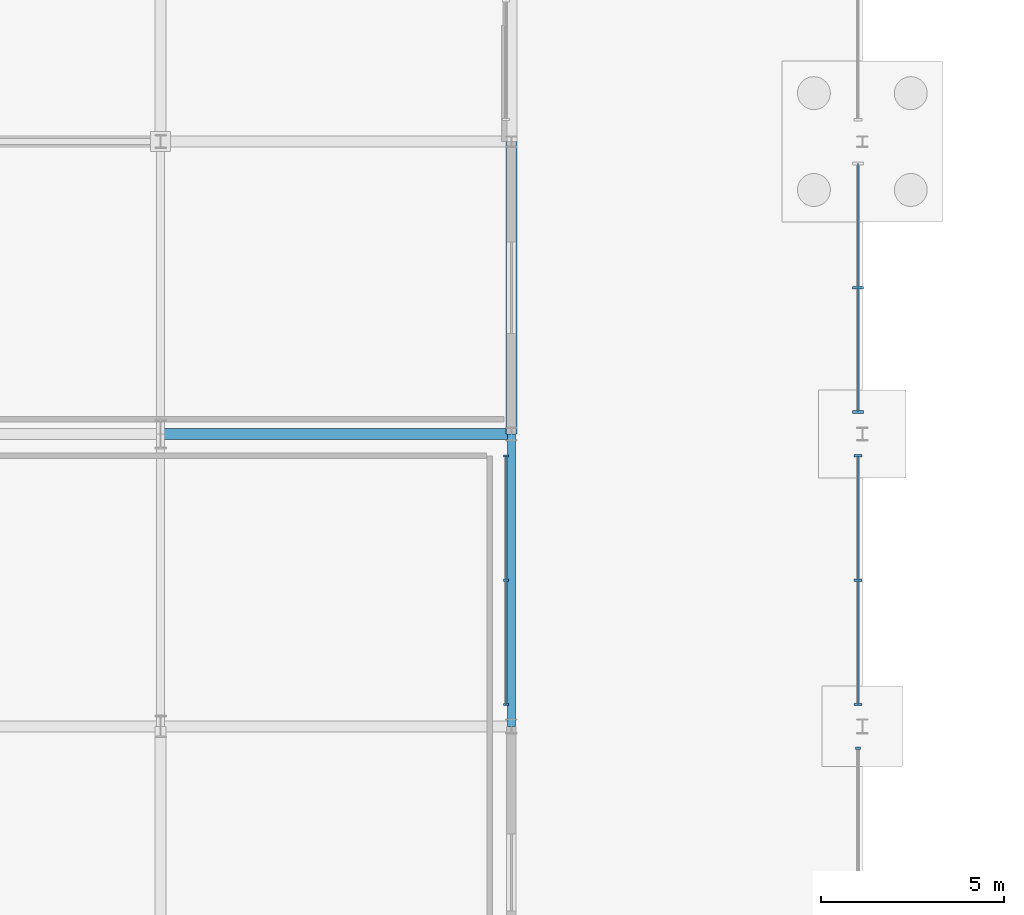
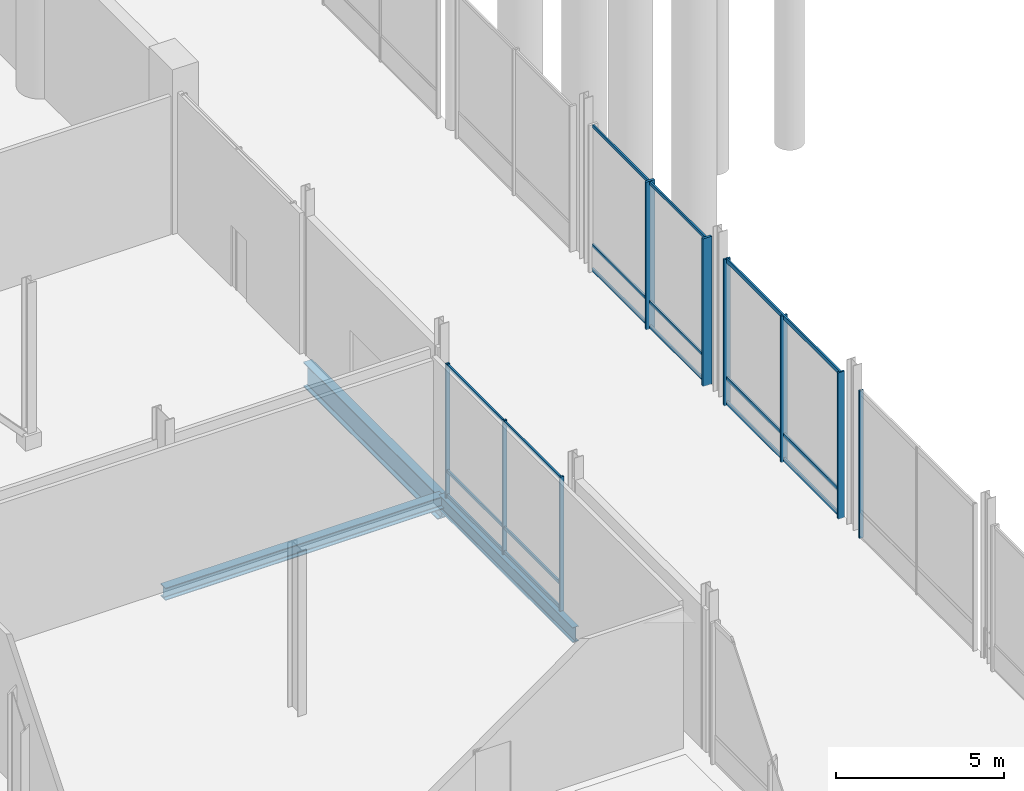
# One storey, part 45 of 124: 18 members, 3 beams, 4 elements without a shape of their own.
"""IFC4 building model written with IfcOpenShell, lengths in metres."""

import ifcopenshell
import ifcopenshell.guid

model = None  # the IFC model being written
_history = None  # IfcOwnerHistory: only IFC2X3 demands one
_inside = {}  # id of a spatial element -> (the spatial element, [elements in it])
_under = {}  # id of a project, library or spatial element -> (it, [spatial elements below it])
_declared = {}  # id of a project -> (the project, [libraries it declares])
_typed = {}  # id of a type object -> (the type object, [elements of that type])
_made_of = {}  # id of a material, layer set ... -> (it, [elements and type objects made of it])


def new_model(schema):
    """Start an empty IFC model of exactly this schema.

    Asked for "IFC4X3", IfcOpenShell would pick the latest addendum, in which some entities
    have other attributes; the version numbers below select the first issue.
    IFC2X3 requires an IfcOwnerHistory on every rooted entity: one is made here for all.
    """
    global model, _history
    if schema == "IFC4X3":
        model = ifcopenshell.file(schema_version=(4, 3, 0, 0))
    else:
        model = ifcopenshell.file(schema=schema)
    _inside.clear()
    _under.clear()
    _declared.clear()
    _typed.clear()
    _made_of.clear()
    _history = None
    if model.schema == "IFC2X3":
        org = make("IfcOrganization", Name="unknown")
        user = make(
            "IfcPersonAndOrganization",
            ThePerson=make("IfcPerson", FamilyName="unknown"),
            TheOrganization=org,
        )
        app = make(
            "IfcApplication",
            ApplicationDeveloper=org,
            Version="unknown",
            ApplicationFullName="unknown",
            ApplicationIdentifier="unknown",
        )
        _history = make(
            "IfcOwnerHistory",
            OwningUser=user,
            OwningApplication=app,
            ChangeAction="ADDED",
            CreationDate=0,
        )
    return model


def make(cls, **values):
    """One entity of the class cls with the attributes given. An attribute that is None is left unset."""
    return model.create_entity(
        cls, **{name: value for name, value in values.items() if value is not None}
    )


def rooted(cls, **values):
    """An entity with a GlobalId (a new one), such as an element, a storey or a relation."""
    return make(cls, GlobalId=ifcopenshell.guid.new(), OwnerHistory=_history, **values)


def si_unit(unit_type, name, prefix=None):
    """IfcSIUnit, for example si_unit("LENGTHUNIT", "METRE", prefix="MILLI")."""
    return make("IfcSIUnit", UnitType=unit_type, Prefix=prefix, Name=name)


def assignment(units):
    """IfcUnitAssignment: the units of a project."""
    return None if units is None else make("IfcUnitAssignment", Units=units)


def point(xyz):
    """IfcCartesianPoint."""
    return None if xyz is None else make("IfcCartesianPoint", Coordinates=xyz)


def direction(xyz):
    """IfcDirection."""
    return None if xyz is None else make("IfcDirection", DirectionRatios=xyz)


def frame(location, z_axis=None, x_axis=None):
    """IfcAxis2Placement3D, a coordinate frame: its origin and axes. An axis left out is left unset."""
    return make(
        "IfcAxis2Placement3D",
        Location=point(location),
        Axis=direction(z_axis),
        RefDirection=direction(x_axis),
    )


def frame_2d(location, x_axis=None):
    """IfcAxis2Placement2D, a coordinate frame in the plane: its origin and x axis."""
    return make(
        "IfcAxis2Placement2D", Location=point(location), RefDirection=direction(x_axis)
    )


def origin():
    """The frame at (0, 0, 0) with its axes left unset."""
    return frame((0.0, 0.0, 0.0))


def origin_2d():
    """The frame at (0, 0) in the plane with its x axis left unset."""
    return frame_2d((0.0, 0.0))


def place(relative_to, where):
    """IfcLocalPlacement: puts the frame where relative to a parent placement (None: the world)."""
    return make(
        "IfcLocalPlacement", PlacementRelTo=relative_to, RelativePlacement=where
    )


def context(
    kind, dimensions, precision=None, world=None, true_north=None, identifier=None
):
    """IfcGeometricRepresentationContext, for example the 3D "Model" context."""
    return make(
        "IfcGeometricRepresentationContext",
        ContextIdentifier=identifier,
        ContextType=kind,
        CoordinateSpaceDimension=dimensions,
        Precision=precision,
        WorldCoordinateSystem=world,
        TrueNorth=true_north,
    )


def subcontext(parent, identifier, kind, view, scale=None):
    """IfcGeometricRepresentationSubContext, for example "Body" below "Model"."""
    return make(
        "IfcGeometricRepresentationSubContext",
        ContextIdentifier=identifier,
        ContextType=kind,
        ParentContext=parent,
        TargetScale=scale,
        TargetView=view,
    )


def project(units=None, contexts=None):
    """IfcProject with its units and contexts."""
    return rooted(
        "IfcProject",
        Name="project",
        RepresentationContexts=contexts,
        UnitsInContext=assignment(units),
    )


def spatial(cls, under=None, at=None, **own):
    """A site, building, storey or space (cls), placed at a placement, below another one or the project."""
    s = rooted(cls, ObjectPlacement=at, **own)
    if under is not None:
        _under.setdefault(under.id(), (under, []))[1].append(s)
    return s


def profile(cls, at=None, kind="AREA", **sizes):
    """A parametric profile (cls). Its sizes go by their IFC names, for example OverallWidth=200.0."""
    return make(cls, ProfileType=kind, Position=at, **sizes)


def rectangle(**sizes):
    """IfcRectangleProfileDef."""
    return profile("IfcRectangleProfileDef", **sizes)


def i_section(**sizes):
    """IfcIShapeProfileDef."""
    return profile("IfcIShapeProfileDef", **sizes)


def extrude(swept, where, along, depth):
    """IfcExtrudedAreaSolid: the profile swept, set in the frame where, extruded along a direction by depth."""
    return make(
        "IfcExtrudedAreaSolid",
        SweptArea=swept,
        Position=where,
        ExtrudedDirection=direction(along),
        Depth=depth,
    )


def shape(context_of_items, identifier, shape_type, items):
    """IfcShapeRepresentation: the items that make up one representation, for example the "Body"."""
    return make(
        "IfcShapeRepresentation",
        ContextOfItems=context_of_items,
        RepresentationIdentifier=identifier,
        RepresentationType=shape_type,
        Items=items,
    )


def material(Name=None, Category=None):
    """IfcMaterial."""
    return make("IfcMaterial", Name=Name, Category=Category)


def material_profile(
    of_material, cross_section, Name=None, Category=None, Priority=None
):
    """IfcMaterialProfile: a cross section and its material."""
    return make(
        "IfcMaterialProfile",
        Name=Name,
        Material=of_material,
        Profile=cross_section,
        Priority=Priority,
        Category=Category,
    )


def profile_set(profiles, Name=None, composite=None):
    """IfcMaterialProfileSet."""
    return make(
        "IfcMaterialProfileSet",
        Name=Name,
        MaterialProfiles=profiles,
        CompositeProfile=composite,
    )


def made_of(thing, what):
    """Note that an element or type object is made of a material, layer set ...; save() writes the relation."""
    if what is not None:
        _made_of.setdefault(what.id(), (what, []))[1].append(thing)
    return thing


def type_object(cls, material=None, **own):
    """A type object (cls), such as IfcWallType, which elements share."""
    return made_of(rooted(cls, **own), material)


def element(
    cls,
    number,
    at=None,
    inside=None,
    cuts=None,
    type_object=None,
    material=None,
    context=None,
    identifier="Body",
    shape_type=None,
    held_by="IfcProductDefinitionShape",
    body=None,
    shapes=None,
    **own,
):
    """One element of the class cls, such as IfcWall. Its Tag is "e" and its number.

    at: its placement. inside: the storey or other place that contains it. cuts: it is an
    opening in that element (IfcRelVoidsElement). A single representation is given by context,
    identifier, shape_type and body (its items); several are given by shapes. held_by: the class
    of the entity that holds the representations. save() writes the other relations.
    """
    e = rooted(cls, Tag="e%d" % number, ObjectPlacement=at, **own)
    if body is not None:
        shapes = [shape(context, identifier, shape_type, body)]
    if shapes is not None:
        e.Representation = make(held_by, Representations=shapes)
    if inside is not None:
        _inside.setdefault(inside.id(), (inside, []))[1].append(e)
    if cuts is not None:
        rooted(
            "IfcRelVoidsElement", RelatingBuildingElement=cuts, RelatedOpeningElement=e
        )
    if type_object is not None:
        _typed.setdefault(type_object.id(), (type_object, []))[1].append(e)
    return made_of(e, material)


def aggregate(whole, parts):
    """IfcRelAggregates: a whole, such as a stair, and the parts it consists of."""
    return rooted("IfcRelAggregates", RelatingObject=whole, RelatedObjects=parts)


def save(model, path):
    """Write the relations noted so far, then the file.

    IfcRelAggregates (storeys below a building ...), IfcRelContainedInSpatialStructure (elements
    in a storey), IfcRelDefinesByType, IfcRelAssociatesMaterial and IfcRelDeclares: one each for
    every whole, place, type object, material and project.
    """
    for whole, parts in _under.values():
        aggregate(whole, parts)
    for where, things in _inside.values():
        rooted(
            "IfcRelContainedInSpatialStructure",
            RelatedElements=things,
            RelatingStructure=where,
        )
    for kind, things in _typed.values():
        rooted("IfcRelDefinesByType", RelatedObjects=things, RelatingType=kind)
    for what, things in _made_of.values():
        rooted("IfcRelAssociatesMaterial", RelatedObjects=things, RelatingMaterial=what)
    for by, libraries in _declared.values():
        rooted("IfcRelDeclares", RelatingContext=by, RelatedDefinitions=libraries)
    model.write(path)


model = new_model("IFC4")

# Units and contexts
model_context = context("Model", 3, precision=1e-05, world=origin(), true_north=direction((0.0, 1.0)))
body_context = subcontext(model_context, "Body", "Model", "MODEL_VIEW")
ifc_project = project(units=[si_unit("LENGTHUNIT", "METRE"), si_unit("AREAUNIT", "SQUARE_METRE"), si_unit("VOLUMEUNIT", "CUBIC_METRE"), si_unit("PLANEANGLEUNIT", "RADIAN"), si_unit("MASSUNIT", "GRAM", prefix="KILO")], contexts=[model_context])

# Site, building, storey
site_placement = place(None, origin())
site = spatial("IfcSite", under=ifc_project, at=site_placement, CompositionType="ELEMENT")
building_placement = place(site_placement, origin())
building = spatial("IfcBuilding", under=site, at=building_placement, Name="Danafjord Basin Convention Centre", CompositionType="ELEMENT")
storey_placement = place(building_placement, origin())
storey = spatial("IfcBuildingStorey", under=building, at=storey_placement, Name="L00", CompositionType="ELEMENT", Elevation=0.0)

# Beams
ifc_material_1 = material(Name="Steel S355", Category="steel")
ifc_material_profile_1 = material_profile(ifc_material_1, i_section(OverallWidth=0.300048828125, OverallDepth=0.449951171875, WebThickness=0.013916015625, FlangeThickness=0.02587890625, FilletRadius=0.027099609375, at=origin_2d()), Name="HEB 450")
ifc_profile_set_1 = profile_set([ifc_material_profile_1], Name="Steel S355")
beam_type_1 = type_object("IfcBeamType", Name="BEAM-BM-HEB450", PredefinedType="BEAM", material=ifc_profile_set_1)
beam_1_placement = place(storey_placement, frame((105.60009765625, 40.0, -0.534912109375), z_axis=(1.0, 0.0, 0.0), x_axis=(0.0, 1.0, 0.0)))
element("IfcBeam", 1, at=beam_1_placement, inside=storey, type_object=beam_type_1, Name="L00 girder BM-HEB450", PredefinedType="BEAM", context=body_context, shape_type="SweptSolid", body=[
    extrude(i_section(OverallWidth=0.300048828125, OverallDepth=0.449951171875, WebThickness=0.013916015625, FlangeThickness=0.02587890625, FilletRadius=0.027099609375, at=origin_2d()), origin(), (0.0, 0.0, 1.0), 9.599853515625),
])
ifc_material_profile_2 = material_profile(ifc_material_1, i_section(OverallWidth=0.300048828125, OverallDepth=0.89990234375, WebThickness=0.0185546875, FlangeThickness=0.034912109375, FilletRadius=0.030029296875, at=origin_2d()), Name="HEB 900")
ifc_profile_set_2 = profile_set([ifc_material_profile_2], Name="Steel S355")
beam_type_2 = type_object("IfcBeamType", Name="BEAM-BM-HEB900", PredefinedType="BEAM", material=ifc_profile_set_2)
beam_2_placement = place(storey_placement, frame((115.199951171875, 40.0, -0.760009765625), z_axis=(0.0, 1.0, 0.0), x_axis=(-1.0, 0.0, 0.0)))
element("IfcBeam", 2, at=beam_2_placement, inside=storey, type_object=beam_type_2, Name="L00 transverse girder BM-HEB900", PredefinedType="BEAM", context=body_context, shape_type="SweptSolid", body=[
    extrude(i_section(OverallWidth=0.300048828125, OverallDepth=0.89990234375, WebThickness=0.0185546875, FlangeThickness=0.034912109375, FilletRadius=0.030029296875, at=origin_2d()), origin(), (0.0, 0.0, 1.0), 8.0),
])
ifc_material_profile_3 = material_profile(ifc_material_1, i_section(OverallWidth=0.2099609375, OverallDepth=0.550048828125, WebThickness=0.010986328125, FlangeThickness=0.01708984375, FilletRadius=0.02392578125, at=origin_2d()), Name="IPE 550")
ifc_profile_set_3 = profile_set([ifc_material_profile_3], Name="Steel S355")
beam_type_3 = type_object("IfcBeamType", Name="BEAM-BM-IPE550", PredefinedType="BEAM", material=ifc_profile_set_3)
beam_3_placement = place(storey_placement, frame((115.199951171875, 32.0, -0.5849609375), z_axis=(0.0, 1.0, 0.0), x_axis=(-1.0, 0.0, 0.0)))
element("IfcBeam", 3, at=beam_3_placement, inside=storey, type_object=beam_type_3, Name="L00 transverse girder BM-IPE550", PredefinedType="BEAM", context=body_context, shape_type="SweptSolid", body=[
    extrude(i_section(OverallWidth=0.2099609375, OverallDepth=0.550048828125, WebThickness=0.010986328125, FlangeThickness=0.01708984375, FilletRadius=0.02392578125, at=origin_2d()), origin(), (0.0, 0.0, 1.0), 8.0),
])

# Curtain wall, members
ifc_material_2 = material(Name="Anodised aluminium and triple glazing", Category="aluminium")
curtain_wall_type_1 = type_object("IfcCurtainWallType", Name="CW-CW-TERR", PredefinedType="NOTDEFINED", material=ifc_material_2)
curtain_wall_1_placement = place(storey_placement, origin())
curtain_wall_1 = element("IfcCurtainWall", 4, at=curtain_wall_1_placement, inside=storey, type_object=curtain_wall_type_1, Name="L00 CW-TERR unitised curtain wall bay 45", PredefinedType="NOTDEFINED")
ifc_material_3 = material(Name="Anodised aluminium EN AW-6060", Category="aluminium")
ifc_material_profile_4 = material_profile(ifc_material_3, rectangle(XDim=0.06005859375, YDim=0.139892578125, at=origin_2d()), Name="MULL 60x140")
ifc_profile_set_4 = profile_set([ifc_material_profile_4], Name="Anodised aluminium EN AW-6060")
member_type_1 = type_object("IfcMemberType", Name="MEM-ML-140", PredefinedType="MULLION", material=ifc_profile_set_4)
member_1_placement = place(storey_placement, frame((115.050048828125, 32.60009765625, -0.02490234375), z_axis=(0.0, 0.0, 1.0), x_axis=(0.0, 1.0, 0.0)))
member_1 = element("IfcMember", 5, at=member_1_placement, type_object=member_type_1, Name="CW-L00-045 mullion 1", PredefinedType="MULLION", context=body_context, shape_type="SweptSolid", body=[
    extrude(rectangle(XDim=0.06005859375, YDim=0.139892578125, at=origin_2d()), origin(), (0.0, 0.0, 1.0), 4.885009765625),
])
member_2_placement = place(storey_placement, frame((115.050048828125, 36.0, -0.02490234375), z_axis=(0.0, 0.0, 1.0), x_axis=(0.0, 1.0, 0.0)))
member_2 = element("IfcMember", 6, at=member_2_placement, type_object=member_type_1, Name="CW-L00-045 mullion 2", PredefinedType="MULLION", context=body_context, shape_type="SweptSolid", body=[
    extrude(rectangle(XDim=0.06005859375, YDim=0.139892578125, at=origin_2d()), origin(), (0.0, 0.0, 1.0), 4.885009765625),
])
member_3_placement = place(storey_placement, frame((115.050048828125, 39.39990234375, -0.02490234375), z_axis=(0.0, 0.0, 1.0), x_axis=(0.0, 1.0, 0.0)))
member_3 = element("IfcMember", 7, at=member_3_placement, type_object=member_type_1, Name="CW-L00-045 mullion 3", PredefinedType="MULLION", context=body_context, shape_type="SweptSolid", body=[
    extrude(rectangle(XDim=0.06005859375, YDim=0.139892578125, at=origin_2d()), origin(), (0.0, 0.0, 1.0), 4.885009765625),
])

# Curtain wall, member
curtain_wall_type_2 = type_object("IfcCurtainWallType", Name="CW-CW-BRIDGE", PredefinedType="NOTDEFINED", material=ifc_material_2)
curtain_wall_2_placement = place(storey_placement, origin())
curtain_wall_2 = element("IfcCurtainWall", 8, at=curtain_wall_2_placement, inside=storey, type_object=curtain_wall_type_2, Name="L00 CW-BRIDGE unitised curtain wall bay 155", PredefinedType="NOTDEFINED")
member_4_placement = place(storey_placement, frame((124.679931640625, 31.39990234375, -0.02490234375), z_axis=(0.0, 0.0, 1.0), x_axis=(0.0, 1.0, 0.0)))
member_4 = element("IfcMember", 9, at=member_4_placement, type_object=member_type_1, Name="CW-L00-155 mullion 3", PredefinedType="MULLION", context=body_context, shape_type="SweptSolid", body=[
    extrude(rectangle(XDim=0.06005859375, YDim=0.139892578125, at=origin_2d()), origin(), (0.0, 0.0, 1.0), 5.385009765625),
])
aggregate(curtain_wall_2, [member_4])

# Curtain wall, members
curtain_wall_3_placement = place(storey_placement, origin())
curtain_wall_3 = element("IfcCurtainWall", 10, at=curtain_wall_3_placement, inside=storey, type_object=curtain_wall_type_2, Name="L00 CW-BRIDGE unitised curtain wall bay 157", PredefinedType="NOTDEFINED")
ifc_material_profile_5 = material_profile(ifc_material_3, rectangle(XDim=0.06494140625, YDim=0.219970703125, at=origin_2d()), Name="MULL 65x220")
ifc_profile_set_5 = profile_set([ifc_material_profile_5], Name="Anodised aluminium EN AW-6060")
member_type_2 = type_object("IfcMemberType", Name="MEM-ML-220", PredefinedType="MULLION", material=ifc_profile_set_5)
member_5_placement = place(storey_placement, frame((124.679931640625, 32.60009765625, -0.02490234375), z_axis=(0.0, 0.0, 1.0), x_axis=(0.0, 1.0, 0.0)))
member_5 = element("IfcMember", 11, at=member_5_placement, type_object=member_type_2, Name="CW-L00-157 mullion 1", PredefinedType="MULLION", context=body_context, shape_type="SweptSolid", body=[
    extrude(rectangle(XDim=0.06494140625, YDim=0.219970703125, at=origin_2d()), origin(), (0.0, 0.0, 1.0), 5.3349609375),
])
member_6_placement = place(storey_placement, frame((124.679931640625, 36.0, -0.02490234375), z_axis=(0.0, 0.0, 1.0), x_axis=(0.0, 1.0, 0.0)))
member_6 = element("IfcMember", 12, at=member_6_placement, type_object=member_type_2, Name="CW-L00-157 mullion 2", PredefinedType="MULLION", context=body_context, shape_type="SweptSolid", body=[
    extrude(rectangle(XDim=0.06494140625, YDim=0.219970703125, at=origin_2d()), origin(), (0.0, 0.0, 1.0), 5.3349609375),
])
member_7_placement = place(storey_placement, frame((124.679931640625, 39.39990234375, -0.02490234375), z_axis=(0.0, 0.0, 1.0), x_axis=(0.0, 1.0, 0.0)))
member_7 = element("IfcMember", 13, at=member_7_placement, type_object=member_type_2, Name="CW-L00-157 mullion 3", PredefinedType="MULLION", context=body_context, shape_type="SweptSolid", body=[
    extrude(rectangle(XDim=0.06494140625, YDim=0.219970703125, at=origin_2d()), origin(), (0.0, 0.0, 1.0), 5.3349609375),
])

curtain_wall_4_placement = place(storey_placement, origin())
curtain_wall_4 = element("IfcCurtainWall", 14, at=curtain_wall_4_placement, inside=storey, type_object=curtain_wall_type_2, Name="L00 CW-BRIDGE unitised curtain wall bay 159", PredefinedType="NOTDEFINED")
ifc_material_profile_6 = material_profile(ifc_material_3, rectangle(XDim=0.080078125, YDim=0.300048828125, at=origin_2d()), Name="MULL 80x300")
ifc_profile_set_6 = profile_set([ifc_material_profile_6], Name="Anodised aluminium EN AW-6060")
member_type_3 = type_object("IfcMemberType", Name="MEM-ML-300", PredefinedType="MULLION", material=ifc_profile_set_6)
member_8_placement = place(storey_placement, frame((124.679931640625, 40.60009765625, -0.02490234375), z_axis=(0.0, 0.0, 1.0), x_axis=(0.0, 1.0, 0.0)))
member_8 = element("IfcMember", 15, at=member_8_placement, type_object=member_type_3, Name="CW-L00-159 mullion 1", PredefinedType="MULLION", context=body_context, shape_type="SweptSolid", body=[
    extrude(rectangle(XDim=0.080078125, YDim=0.300048828125, at=origin_2d()), origin(), (0.0, 0.0, 1.0), 5.385009765625),
])
member_9_placement = place(storey_placement, frame((124.679931640625, 44.0, -0.02490234375), z_axis=(0.0, 0.0, 1.0), x_axis=(0.0, 1.0, 0.0)))
member_9 = element("IfcMember", 16, at=member_9_placement, type_object=member_type_3, Name="CW-L00-159 mullion 2", PredefinedType="MULLION", context=body_context, shape_type="SweptSolid", body=[
    extrude(rectangle(XDim=0.080078125, YDim=0.300048828125, at=origin_2d()), origin(), (0.0, 0.0, 1.0), 5.385009765625),
])

# Member
ifc_material_profile_7 = material_profile(ifc_material_3, rectangle(XDim=0.06005859375, YDim=0.110107421875, at=origin_2d()), Name="TRAN 60x110")
ifc_profile_set_7 = profile_set([ifc_material_profile_7], Name="Anodised aluminium EN AW-6060")
member_type_4 = type_object("IfcMemberType", Name="MEM-TR-110", PredefinedType="USERDEFINED", material=ifc_profile_set_7)
member_10_placement = place(storey_placement, frame((115.050048828125, 32.60009765625, 0.06005859375), z_axis=(0.0, 1.0, 0.0), x_axis=(-1.0, 0.0, 0.0)))
member_10 = element("IfcMember", 17, at=member_10_placement, type_object=member_type_4, Name="CW-L00-045 transom 1", ObjectType="TRANSOM", PredefinedType="USERDEFINED", context=body_context, shape_type="SweptSolid", body=[
    extrude(rectangle(XDim=0.06005859375, YDim=0.110107421875, at=origin_2d()), origin(), (0.0, 0.0, 1.0), 6.7998046875),
])

member_11_placement = place(storey_placement, frame((115.050048828125, 32.60009765625, 0.949951171875), z_axis=(0.0, 1.0, 0.0), x_axis=(-1.0, 0.0, 0.0)))
member_11 = element("IfcMember", 18, at=member_11_placement, type_object=member_type_4, Name="CW-L00-045 transom 2", ObjectType="TRANSOM", PredefinedType="USERDEFINED", context=body_context, shape_type="SweptSolid", body=[
    extrude(rectangle(XDim=0.06005859375, YDim=0.110107421875, at=origin_2d()), origin(), (0.0, 0.0, 1.0), 6.7998046875),
])

member_12_placement = place(storey_placement, frame((115.050048828125, 32.60009765625, 4.7900390625), z_axis=(0.0, 1.0, 0.0), x_axis=(-1.0, 0.0, 0.0)))
member_12 = element("IfcMember", 19, at=member_12_placement, type_object=member_type_4, Name="CW-L00-045 transom 3", ObjectType="TRANSOM", PredefinedType="USERDEFINED", context=body_context, shape_type="SweptSolid", body=[
    extrude(rectangle(XDim=0.06005859375, YDim=0.110107421875, at=origin_2d()), origin(), (0.0, 0.0, 1.0), 6.7998046875),
])

aggregate(curtain_wall_1, [member_1, member_2, member_3, member_10, member_11, member_12])

member_13_placement = place(storey_placement, frame((124.679931640625, 40.60009765625, 0.06005859375), z_axis=(0.0, 1.0, 0.0), x_axis=(-1.0, 0.0, 0.0)))
member_13 = element("IfcMember", 20, at=member_13_placement, type_object=member_type_4, Name="CW-L00-159 transom 1", ObjectType="TRANSOM", PredefinedType="USERDEFINED", context=body_context, shape_type="SweptSolid", body=[
    extrude(rectangle(XDim=0.06005859375, YDim=0.110107421875, at=origin_2d()), origin(), (0.0, 0.0, 1.0), 6.7998046875),
])

member_14_placement = place(storey_placement, frame((124.679931640625, 40.60009765625, 0.949951171875), z_axis=(0.0, 1.0, 0.0), x_axis=(-1.0, 0.0, 0.0)))
member_14 = element("IfcMember", 21, at=member_14_placement, type_object=member_type_4, Name="CW-L00-159 transom 2", ObjectType="TRANSOM", PredefinedType="USERDEFINED", context=body_context, shape_type="SweptSolid", body=[
    extrude(rectangle(XDim=0.06005859375, YDim=0.110107421875, at=origin_2d()), origin(), (0.0, 0.0, 1.0), 6.7998046875),
])

member_15_placement = place(storey_placement, frame((124.679931640625, 40.60009765625, 5.2900390625), z_axis=(0.0, 1.0, 0.0), x_axis=(-1.0, 0.0, 0.0)))
member_15 = element("IfcMember", 22, at=member_15_placement, type_object=member_type_4, Name="CW-L00-159 transom 3", ObjectType="TRANSOM", PredefinedType="USERDEFINED", context=body_context, shape_type="SweptSolid", body=[
    extrude(rectangle(XDim=0.06005859375, YDim=0.110107421875, at=origin_2d()), origin(), (0.0, 0.0, 1.0), 6.7998046875),
])

aggregate(curtain_wall_4, [member_8, member_9, member_13, member_14, member_15])

ifc_material_profile_8 = material_profile(ifc_material_3, rectangle(XDim=0.06005859375, YDim=0.14990234375, at=origin_2d()), Name="TRAN 60x150")
ifc_profile_set_8 = profile_set([ifc_material_profile_8], Name="Anodised aluminium EN AW-6060")
member_type_5 = type_object("IfcMemberType", Name="MEM-TR-150", PredefinedType="USERDEFINED", material=ifc_profile_set_8)
member_16_placement = place(storey_placement, frame((124.679931640625, 32.60009765625, 0.06005859375), z_axis=(0.0, 1.0, 0.0), x_axis=(-1.0, 0.0, 0.0)))
member_16 = element("IfcMember", 23, at=member_16_placement, type_object=member_type_5, Name="CW-L00-157 transom 1", ObjectType="TRANSOM", PredefinedType="USERDEFINED", context=body_context, shape_type="SweptSolid", body=[
    extrude(rectangle(XDim=0.06005859375, YDim=0.14990234375, at=origin_2d()), origin(), (0.0, 0.0, 1.0), 6.7998046875),
])

member_17_placement = place(storey_placement, frame((124.679931640625, 32.60009765625, 0.949951171875), z_axis=(0.0, 1.0, 0.0), x_axis=(-1.0, 0.0, 0.0)))
member_17 = element("IfcMember", 24, at=member_17_placement, type_object=member_type_5, Name="CW-L00-157 transom 2", ObjectType="TRANSOM", PredefinedType="USERDEFINED", context=body_context, shape_type="SweptSolid", body=[
    extrude(rectangle(XDim=0.06005859375, YDim=0.14990234375, at=origin_2d()), origin(), (0.0, 0.0, 1.0), 6.7998046875),
])

member_18_placement = place(storey_placement, frame((124.679931640625, 32.60009765625, 5.239990234375), z_axis=(0.0, 1.0, 0.0), x_axis=(-1.0, 0.0, 0.0)))
member_18 = element("IfcMember", 25, at=member_18_placement, type_object=member_type_5, Name="CW-L00-157 transom 3", ObjectType="TRANSOM", PredefinedType="USERDEFINED", context=body_context, shape_type="SweptSolid", body=[
    extrude(rectangle(XDim=0.06005859375, YDim=0.14990234375, at=origin_2d()), origin(), (0.0, 0.0, 1.0), 6.7998046875),
])

aggregate(curtain_wall_3, [member_5, member_6, member_7, member_16, member_17, member_18])

save(model, "model.ifc")
